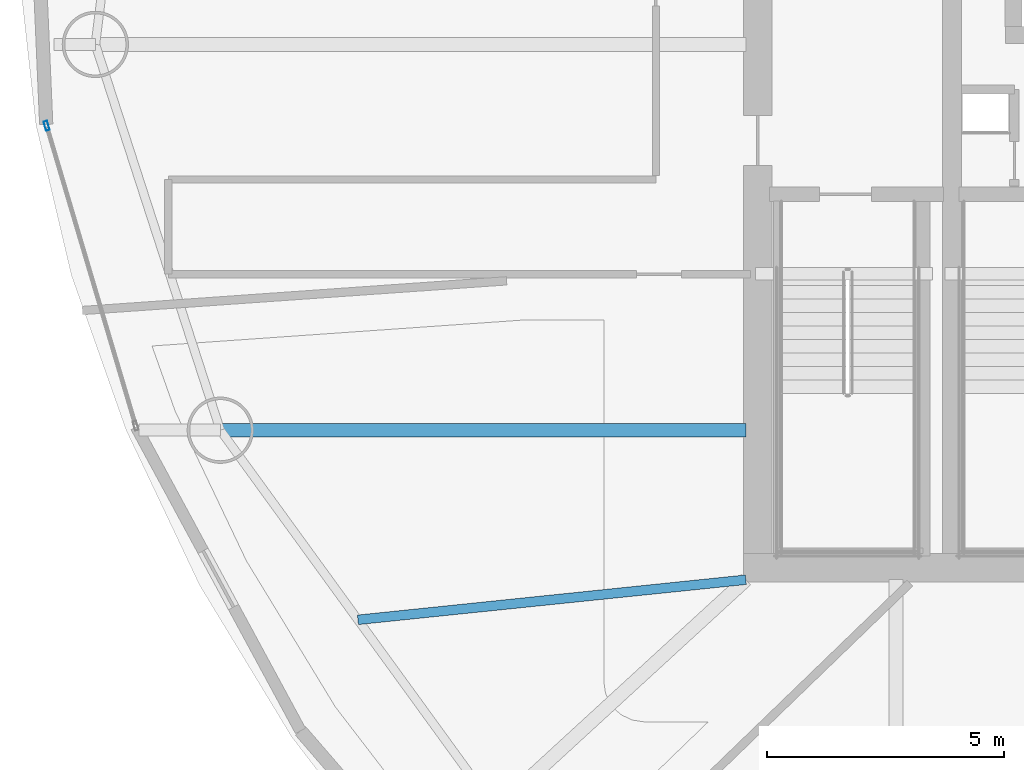
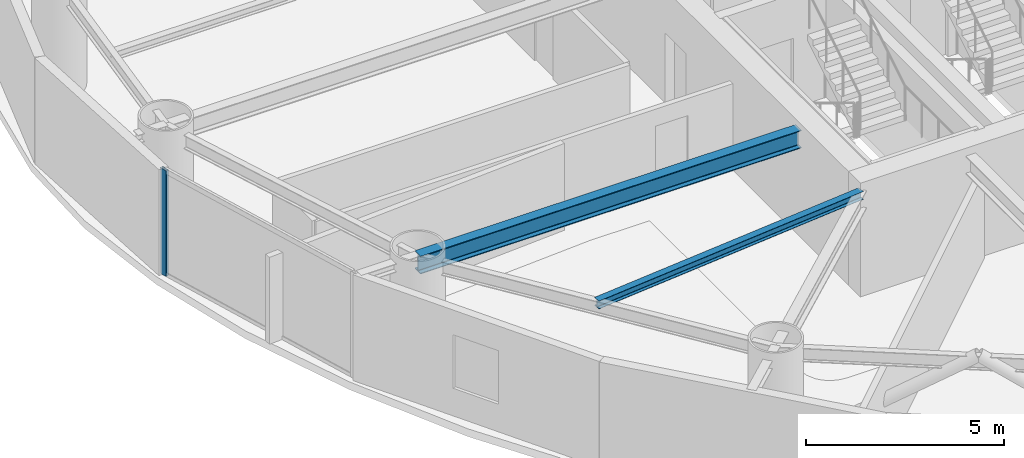
# One storey, part 5 of 22: 2 beams, 1 member, 1 element without a shape of its own.
"""IFC4 building model written with IfcOpenShell, lengths in metres."""

from ifc_helpers import new_model, si_unit, direction, frame, origin, origin_2d, place, context, subcontext, project, spatial, hollow_rectangle, i_section, extrude, material, layer, layer_set, material_profile, profile_set, type_object, element, aggregate, save


model = new_model("IFC4")

# Units and contexts
model_context = context("Model", 3, precision=1e-05, world=origin(), true_north=direction((0.0, 1.0)))
body_context = subcontext(model_context, "Body", "Model", "MODEL_VIEW")
ifc_project = project(units=[si_unit("LENGTHUNIT", "METRE"), si_unit("AREAUNIT", "SQUARE_METRE"), si_unit("VOLUMEUNIT", "CUBIC_METRE"), si_unit("PLANEANGLEUNIT", "RADIAN"), si_unit("MASSUNIT", "GRAM", prefix="KILO")], contexts=[model_context])

# Site, building, storey
site_placement = place(None, origin())
site = spatial("IfcSite", under=ifc_project, at=site_placement, CompositionType="ELEMENT")
building_placement = place(site_placement, origin())
building = spatial("IfcBuilding", under=site, at=building_placement, Name="Bramvorn Convention Spire", CompositionType="ELEMENT")
storey_placement = place(building_placement, frame((0.0, 0.0, 141.300048828125)))
storey = spatial("IfcBuildingStorey", under=building, at=storey_placement, Name="L35", CompositionType="ELEMENT", Elevation=141.300048828125)

# Beams
ifc_material_1 = material(Name="Steel CSA G40.21 Grade 350 (350W)", Category="steel")
ifc_material_profile_1 = material_profile(ifc_material_1, i_section(OverallWidth=0.201904296875, OverallDepth=0.2470703125, WebThickness=0.00732421875, FlangeThickness=0.010986328125, FilletRadius=0.011962890625, at=origin_2d()))
ifc_profile_set_1 = profile_set([ifc_material_profile_1], Name="Steel CSA G40.21 Grade 350 (350W) - W250X49")
beam_type_1 = type_object("IfcBeamType", Name="BM-W250X49", PredefinedType="JOIST", material=ifc_profile_set_1)
beam_1_placement = place(storey_placement, frame((26.75, 18.550048828125, 3.136474609375), z_axis=(-0.994705076194, -0.102770673804, 0.0), x_axis=(0.102770673804, -0.994705076194, 0.0)))
element("IfcBeam", 1, at=beam_1_placement, inside=storey, type_object=beam_type_1, Name="L35 composite floor joist 11", PredefinedType="JOIST", context=body_context, shape_type="SweptSolid", body=[
    extrude(i_section(OverallWidth=0.201904296875, OverallDepth=0.2470703125, WebThickness=0.00732421875, FlangeThickness=0.010986328125, FilletRadius=0.011962890625, at=origin_2d()), origin(), (0.0, 0.0, 1.0), 8.23388671875),
])
ifc_material_profile_2 = material_profile(ifc_material_1, i_section(OverallWidth=0.2919921875, OverallDepth=0.551025390625, WebThickness=0.01513671875, FlangeThickness=0.0244140625, FilletRadius=0.01904296875, at=origin_2d()))
ifc_profile_set_2 = profile_set([ifc_material_profile_2], Name="Steel CSA G40.21 Grade 350 (350W) - W530X182")
beam_type_2 = type_object("IfcBeamType", Name="BM-W530X182", PredefinedType="BEAM", material=ifc_profile_set_2)
beam_2_placement = place(storey_placement, frame((26.75, 21.706787109375, 2.984375), z_axis=(-1.0, 0.0, 0.0), x_axis=(0.0, -1.0, 0.0)))
element("IfcBeam", 2, at=beam_2_placement, inside=storey, type_object=beam_type_2, Name="L35 radial floor girder MC11", PredefinedType="BEAM", context=body_context, shape_type="SweptSolid", body=[
    extrude(i_section(OverallWidth=0.2919921875, OverallDepth=0.551025390625, WebThickness=0.01513671875, FlangeThickness=0.0244140625, FilletRadius=0.01904296875, at=origin_2d()), origin(), (0.0, 0.0, 1.0), 11.095703125),
])

# Curtain wall, member
ifc_material_2 = material(Name="Anodised Bronze Unitised Curtain Wall", Category="aluminium")
ifc_layer = layer(ifc_material_2, 0.179931640625)
ifc_layer_set = layer_set([ifc_layer], Name="Anodised Bronze Unitised Curtain Wall - CW-HTL-FRIT")
curtain_wall_type = type_object("IfcCurtainWallType", Name="CW-HTL-FRIT", PredefinedType="USERDEFINED", material=ifc_layer_set)
curtain_wall_placement = place(storey_placement, origin())
curtain_wall = element("IfcCurtainWall", 3, at=curtain_wall_placement, inside=storey, type_object=curtain_wall_type, Name="L35 fritted glass curtain wall 15", ObjectType="UNITISED CURTAIN WALL", PredefinedType="USERDEFINED")
ifc_material_3 = material(Name="Anodised Bronze Aluminium 6063-T6", Category="aluminium")
ifc_material_profile_3 = material_profile(ifc_material_3, hollow_rectangle(XDim=0.080078125, YDim=0.199951171875, WallThickness=0.00390625, InnerFilletRadius=0.0009765625, OuterFilletRadius=0.00390625, at=origin_2d()))
ifc_profile_set_3 = profile_set([ifc_material_profile_3], Name="Anodised Bronze Aluminium 6063-T6 - CWM80X200")
member_type = type_object("IfcMemberType", Name="CW-MUL-180", PredefinedType="MULLION", material=ifc_profile_set_3)
member_placement = place(storey_placement, frame((11.9873046875, 28.133544921875, 0.0), z_axis=(0.0, 0.0, 1.0), x_axis=(-0.958636760073, -0.284632328166, 0.0)))
member = element("IfcMember", 4, at=member_placement, type_object=member_type, Name="CW2 mullion 2", PredefinedType="MULLION", context=body_context, shape_type="SweptSolid", body=[
    extrude(hollow_rectangle(XDim=0.080078125, YDim=0.199951171875, WallThickness=0.00390625, InnerFilletRadius=0.0009765625, OuterFilletRadius=0.00390625, at=origin_2d()), origin(), (0.0, 0.0, 1.0), 3.260009765625),
])
aggregate(curtain_wall, [member])

save(model, "model.ifc")
